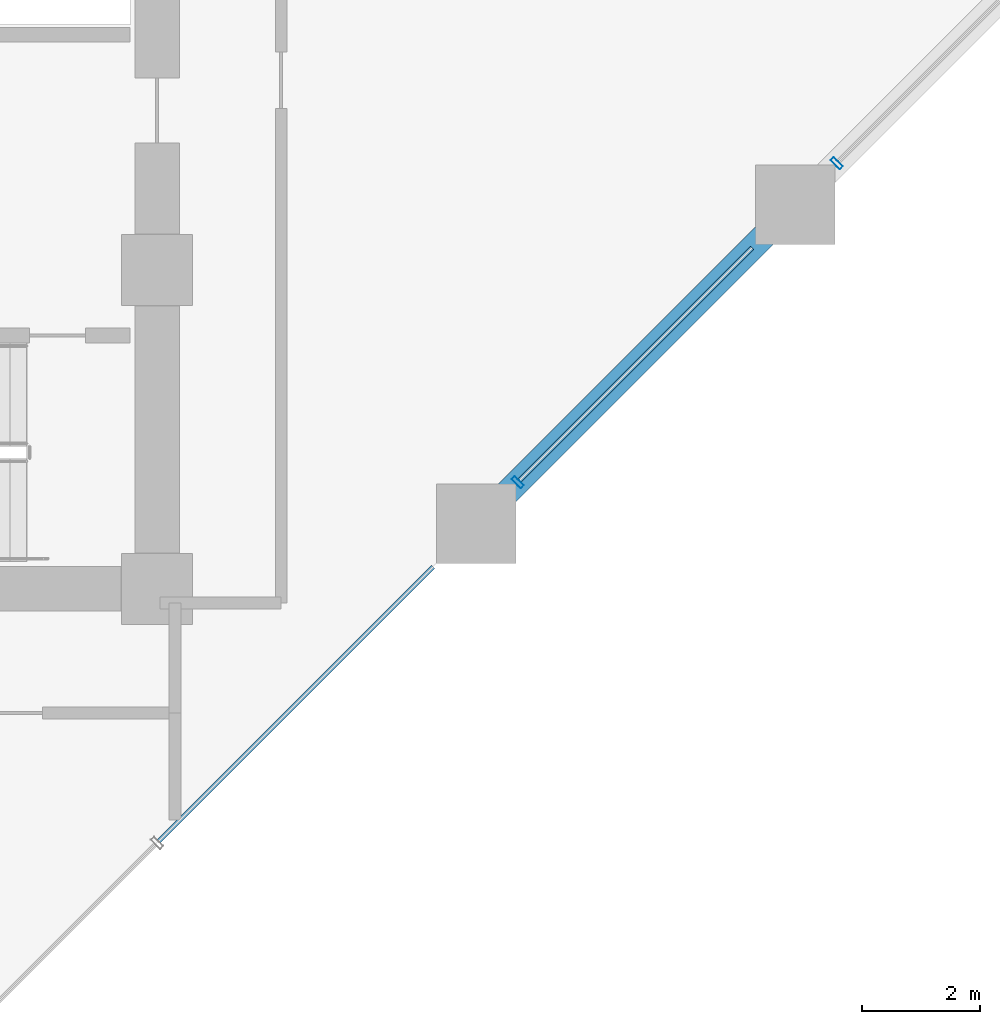
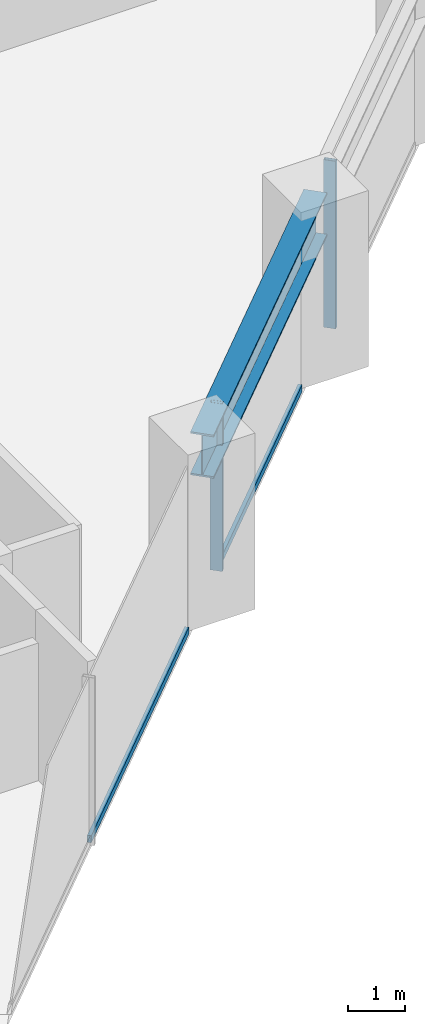
# One storey, part 8 of 25: 4 members, 1 beam, 1 element without a shape of its own.
"""IFC4 building model written with IfcOpenShell, lengths in metres."""

from ifc_helpers import new_model, si_unit, direction, frame, origin, origin_2d, place, context, subcontext, project, spatial, hollow_rectangle, i_section, extrude, material, layer, layer_set, material_profile, profile_set, type_object, element, aggregate, save


model = new_model("IFC4")

# Units and contexts
model_context = context("Model", 3, precision=1e-05, world=origin(), true_north=direction((0.0, 1.0)))
body_context = subcontext(model_context, "Body", "Model", "MODEL_VIEW")
ifc_project = project(units=[si_unit("LENGTHUNIT", "METRE"), si_unit("AREAUNIT", "SQUARE_METRE"), si_unit("VOLUMEUNIT", "CUBIC_METRE"), si_unit("PLANEANGLEUNIT", "RADIAN"), si_unit("MASSUNIT", "GRAM", prefix="KILO")], contexts=[model_context])

# Site, building, storey
site_placement = place(None, origin())
site = spatial("IfcSite", under=ifc_project, at=site_placement, CompositionType="ELEMENT")
building_placement = place(site_placement, origin())
building = spatial("IfcBuilding", under=site, at=building_placement, Name="Surkhivell Harbour Commons", CompositionType="ELEMENT")
storey_placement = place(building_placement, frame((0.0, 0.0, 48.75)))
storey = spatial("IfcBuildingStorey", under=building, at=storey_placement, Name="L12", CompositionType="ELEMENT", Elevation=48.75)

# Beam
ifc_material_1 = material(Name="Steel S460", Category="steel")
ifc_material_profile_1 = material_profile(ifc_material_1, i_section(OverallWidth=0.419921875, OverallDepth=0.9208984375, WebThickness=0.021484375, FlangeThickness=0.03662109375, at=origin_2d()), Name="UB914x419x388")
ifc_profile_set_1 = profile_set([ifc_material_profile_1], Name="Steel S460")
beam_type = type_object("IfcBeamType", Name="BM-SPN-914A", PredefinedType="SPANDREL", material=ifc_profile_set_1)
beam_placement = place(storey_placement, frame((16.199951171875, -9.699951171875, 3.109619140625), z_axis=(0.707122765516, 0.707090796496, 0.0), x_axis=(-0.707090796496, 0.707122765516, 0.0)))
element("IfcBeam", 1, at=beam_placement, inside=storey, type_object=beam_type, Name="L12 Tube Spandrel (16.2,-9.7)", PredefinedType="SPANDREL", context=body_context, shape_type="SweptSolid", body=[
    extrude(i_section(OverallWidth=0.419921875, OverallDepth=0.9208984375, WebThickness=0.021484375, FlangeThickness=0.03662109375, at=origin_2d()), origin(), (0.0, 0.0, 1.0), 7.63671875),
])

# Curtain wall, members
ifc_material_2 = material(Name="Anodised pale-metal aluminium and insulated glazing", Category="aluminium")
ifc_layer = layer(ifc_material_2, 0.219970703125)
ifc_layer_set = layer_set([ifc_layer], Name="Anodised pale-metal aluminium and insulated glazing")
curtain_wall_type = type_object("IfcCurtainWallType", Name="CW-SYS-Z1", PredefinedType="NOTDEFINED", material=ifc_layer_set)
curtain_wall_placement = place(storey_placement, origin())
curtain_wall = element("IfcCurtainWall", 2, at=curtain_wall_placement, inside=storey, type_object=curtain_wall_type, Name="L12 Curtain Wall CW-L12-E01", PredefinedType="NOTDEFINED")
ifc_material_3 = material(Name="Anodised pale-metal aluminium alloy 6063-T6", Category="aluminium")
ifc_material_profile_2 = material_profile(ifc_material_3, hollow_rectangle(XDim=0.074951171875, YDim=0.219970703125, WallThickness=0.00390625, at=origin_2d()), Name="ALU-MULL-75x220")
ifc_profile_set_2 = profile_set([ifc_material_profile_2], Name="Anodised pale-metal aluminium alloy 6063-T6")
member_type_1 = type_object("IfcMemberType", Name="CWM-220", PredefinedType="MULLION", material=ifc_profile_set_2)
member_1_placement = place(storey_placement, frame((16.9033203125, -8.99658203125, 0.0), z_axis=(0.0, 0.0, 1.0), x_axis=(0.707106781187, 0.707106781187, 0.0)))
member_1 = element("IfcMember", 3, at=member_1_placement, type_object=member_type_1, Name="CW-Z1 mullion 4", PredefinedType="MULLION", context=body_context, shape_type="SweptSolid", body=[
    extrude(hollow_rectangle(XDim=0.074951171875, YDim=0.219970703125, WallThickness=0.00390625, at=origin_2d()), origin(), (0.0, 0.0, 1.0), 3.570068359375),
])
member_2_placement = place(storey_placement, frame((22.30322265625, -3.5966796875, 0.0), z_axis=(0.0, 0.0, 1.0), x_axis=(0.707106781187, 0.707106781187, 0.0)))
member_2 = element("IfcMember", 4, at=member_2_placement, type_object=member_type_1, Name="CW-Z1 mullion 5", PredefinedType="MULLION", context=body_context, shape_type="SweptSolid", body=[
    extrude(hollow_rectangle(XDim=0.074951171875, YDim=0.219970703125, WallThickness=0.00390625, at=origin_2d()), origin(), (0.0, 0.0, 1.0), 3.570068359375),
])
ifc_material_profile_3 = material_profile(ifc_material_3, hollow_rectangle(XDim=0.074951171875, YDim=0.14990234375, WallThickness=0.00341796875, at=origin_2d()), Name="ALU-TRAN-75x150")
ifc_profile_set_3 = profile_set([ifc_material_profile_3], Name="Anodised pale-metal aluminium alloy 6063-T6")
member_type_2 = type_object("IfcMemberType", Name="CWT-150", PredefinedType="USERDEFINED", material=ifc_profile_set_3)
member_3_placement = place(storey_placement, frame((10.826416015625, -15.073486328125, 0.074951171875), z_axis=(0.70712536896, 0.707088192925, 0.0), x_axis=(-0.707088192925, 0.70712536896, 0.0)))
member_3 = element("IfcMember", 5, at=member_3_placement, type_object=member_type_2, Name="CW-Z1 transom 3.1", ObjectType="TRANSOM", PredefinedType="USERDEFINED", context=body_context, shape_type="SweptSolid", body=[
    extrude(hollow_rectangle(XDim=0.074951171875, YDim=0.14990234375, WallThickness=0.00341796875, at=origin_2d()), origin(), (0.0, 0.0, 1.0), 6.567138671875),
])
member_4_placement = place(storey_placement, frame((16.929931640625, -8.97021484375, 0.074951171875), z_axis=(0.707084874754, 0.70712868694, 0.0), x_axis=(-0.70712868694, 0.707084874754, 0.0)))
member_4 = element("IfcMember", 6, at=member_4_placement, type_object=member_type_2, Name="CW-Z1 transom 4.1", ObjectType="TRANSOM", PredefinedType="USERDEFINED", context=body_context, shape_type="SweptSolid", body=[
    extrude(hollow_rectangle(XDim=0.074951171875, YDim=0.14990234375, WallThickness=0.00341796875, at=origin_2d()), origin(), (0.0, 0.0, 1.0), 5.572509765625),
])
aggregate(curtain_wall, [member_3, member_1, member_4, member_2])

save(model, "model.ifc")
